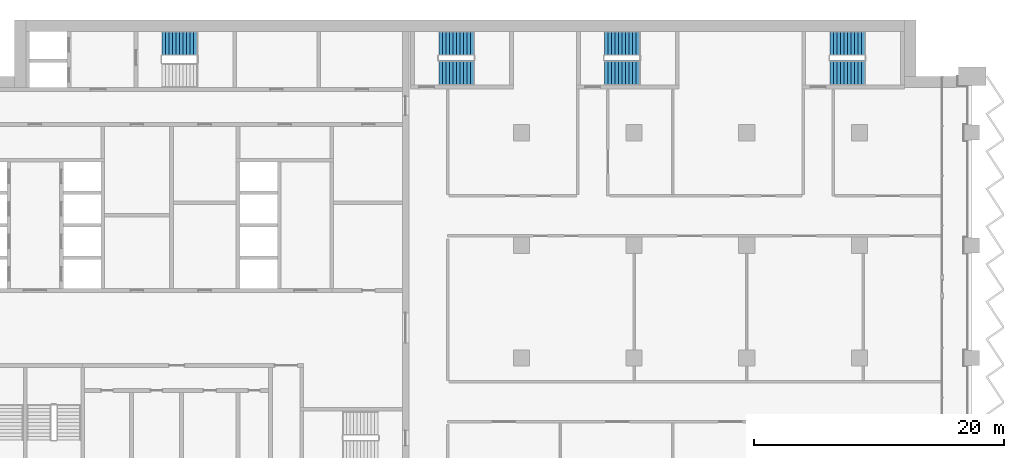
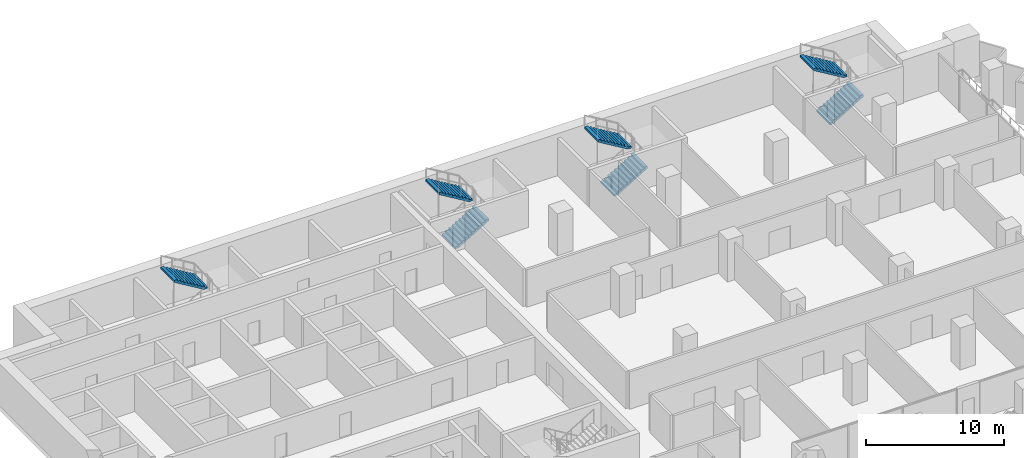
# One storey, part 17 of 22: 7 stair flights, 4 elements without a shape of their own.
"""IFC4 building model written with IfcOpenShell, lengths in metres."""

from ifc_helpers import new_model, si_unit, direction, frame, origin, place, context, subcontext, project, spatial, polyline, outline, extrude, material, type_object, element, aggregate, save


model = new_model("IFC4")

# Units and contexts
model_context = context("Model", 3, precision=1e-05, world=origin(), true_north=direction((0.0, 1.0)))
body_context = subcontext(model_context, "Body", "Model", "MODEL_VIEW")
ifc_project = project(units=[si_unit("LENGTHUNIT", "METRE"), si_unit("AREAUNIT", "SQUARE_METRE"), si_unit("VOLUMEUNIT", "CUBIC_METRE"), si_unit("PLANEANGLEUNIT", "RADIAN"), si_unit("MASSUNIT", "GRAM", prefix="KILO")], contexts=[model_context])

# Site, building, storey
site_placement = place(None, origin())
site = spatial("IfcSite", under=ifc_project, at=site_placement, CompositionType="ELEMENT")
building_placement = place(site_placement, origin())
building = spatial("IfcBuilding", under=site, at=building_placement, Name="Hunhe Ridgeline Campus", CompositionType="ELEMENT")
storey_placement = place(building_placement, frame((0.0, 0.0, 84.800048828125)))
storey = spatial("IfcBuildingStorey", under=building, at=storey_placement, Name="L20", CompositionType="ELEMENT", Elevation=84.800048828125)

# Stair, stair flight
ifc_material = material(Name="Concrete C40", Category="concrete")
stair_type = type_object("IfcStairType", Name="Reinforced concrete dog-leg stair 1950 Concrete C40", PredefinedType="HALF_TURN_STAIR", material=ifc_material)
stair_1_placement = place(storey_placement, origin())
stair_1 = element("IfcStair", 1, at=stair_1_placement, inside=storey, type_object=stair_type, Name="L20 S1", PredefinedType="HALF_TURN_STAIR")
stair_flight_type = type_object("IfcStairFlightType", Name="Reinforced concrete stair flight 1950 Concrete C40", PredefinedType="STRAIGHT", material=ifc_material)
stair_flight_1_placement = place(storey_placement, frame((19.10009765625, 97.125, 1.849853515625), z_axis=(0.0, 0.0, 1.0), x_axis=(-1.0, 0.0, 0.0)))
stair_flight_1 = element("IfcStairFlight", 2, at=stair_flight_1_placement, type_object=stair_flight_type, Name="ST1 flight 2", NumberOfRisers=11, NumberOfTreads=10, PredefinedType="STRAIGHT", RiserHeight=0.168181818, TreadLength=0.28, context=body_context, shape_type="SweptSolid", body=[
    extrude(outline(polyline([(0.0, 0.0), (0.0, 0.168212890625), (0.280029296875, 0.168212890625), (0.280029296875, 0.33642578125), (0.56005859375, 0.33642578125), (0.56005859375, 0.504638671875), (0.840087890625, 0.504638671875), (0.840087890625, 0.672607421875), (1.1201171875, 0.672607421875), (1.1201171875, 0.8408203125), (1.39990234375, 0.8408203125), (1.39990234375, 1.009033203125), (1.679931640625, 1.009033203125), (1.679931640625, 1.17724609375), (1.9599609375, 1.17724609375), (1.9599609375, 1.345458984375), (2.239990234375, 1.345458984375), (2.239990234375, 1.513671875), (2.52001953125, 1.513671875), (2.52001953125, 1.681884765625), (2.800048828125, 1.681884765625), (2.800048828125, 1.85009765625), (2.800048828125, 1.5068359375), (0.291015625, 0.0), (0.0, 0.0)])), frame((0.0, 0.97509765625, 0.0), z_axis=(0.0, -1.0, 0.0), x_axis=(1.0, 0.0, 0.0)), (0.0, 0.0, 1.0), 1.949951171875),
    extrude(outline(polyline([(0.030029296875, 0.030029296875), (0.030029296875, 0.13818359375), (0.31005859375, 0.13818359375), (0.31005859375, 0.306396484375), (0.590087890625, 0.306396484375), (0.590087890625, 0.474609375), (0.8701171875, 0.474609375), (0.8701171875, 0.642578125), (1.14990234375, 0.642578125), (1.14990234375, 0.810791015625), (1.429931640625, 0.810791015625), (1.429931640625, 0.97900390625), (1.7099609375, 0.97900390625), (1.7099609375, 1.147216796875), (1.989990234375, 1.147216796875), (1.989990234375, 1.3154296875), (2.27001953125, 1.3154296875), (2.27001953125, 1.483642578125), (2.550048828125, 1.483642578125), (2.550048828125, 1.65185546875), (2.77001953125, 1.65185546875), (2.77001953125, 1.52392578125), (0.28271484375, 0.030029296875), (0.030029296875, 0.030029296875)])), frame((0.0, -0.070068359375, 0.0), z_axis=(0.0, -1.0, 0.0), x_axis=(1.0, 0.0, 0.0)), (0.0, 0.0, 1.0), 0.019775390625),
    extrude(outline(polyline([(0.030029296875, 0.030029296875), (0.030029296875, 0.13818359375), (0.31005859375, 0.13818359375), (0.31005859375, 0.306396484375), (0.590087890625, 0.306396484375), (0.590087890625, 0.474609375), (0.8701171875, 0.474609375), (0.8701171875, 0.642578125), (1.14990234375, 0.642578125), (1.14990234375, 0.810791015625), (1.429931640625, 0.810791015625), (1.429931640625, 0.97900390625), (1.7099609375, 0.97900390625), (1.7099609375, 1.147216796875), (1.989990234375, 1.147216796875), (1.989990234375, 1.3154296875), (2.27001953125, 1.3154296875), (2.27001953125, 1.483642578125), (2.550048828125, 1.483642578125), (2.550048828125, 1.65185546875), (2.77001953125, 1.65185546875), (2.77001953125, 1.52392578125), (0.28271484375, 0.030029296875), (0.030029296875, 0.030029296875)])), frame((0.0, 0.010009765625, 0.0), z_axis=(0.0, -1.0, 0.0), x_axis=(1.0, 0.0, 0.0)), (0.0, 0.0, 1.0), 0.019775390625),
    extrude(outline(polyline([(0.030029296875, 0.030029296875), (0.030029296875, 0.13818359375), (0.31005859375, 0.13818359375), (0.31005859375, 0.306396484375), (0.590087890625, 0.306396484375), (0.590087890625, 0.474609375), (0.8701171875, 0.474609375), (0.8701171875, 0.642578125), (1.14990234375, 0.642578125), (1.14990234375, 0.810791015625), (1.429931640625, 0.810791015625), (1.429931640625, 0.97900390625), (1.7099609375, 0.97900390625), (1.7099609375, 1.147216796875), (1.989990234375, 1.147216796875), (1.989990234375, 1.3154296875), (2.27001953125, 1.3154296875), (2.27001953125, 1.483642578125), (2.550048828125, 1.483642578125), (2.550048828125, 1.65185546875), (2.77001953125, 1.65185546875), (2.77001953125, 1.52392578125), (0.28271484375, 0.030029296875), (0.030029296875, 0.030029296875)])), frame((0.0, 0.090087890625, 0.0), z_axis=(0.0, -1.0, 0.0), x_axis=(1.0, 0.0, 0.0)), (0.0, 0.0, 1.0), 0.019775390625),
])
aggregate(stair_1, [stair_flight_1])

# Stair, stair flights
stair_2_placement = place(storey_placement, origin())
stair_2 = element("IfcStair", 3, at=stair_2_placement, inside=storey, type_object=stair_type, Name="L20 E1", PredefinedType="HALF_TURN_STAIR")
stair_flight_2_placement = place(storey_placement, frame((38.39990234375, 94.77490234375, 0.0), z_axis=(0.0, 0.0, 1.0), x_axis=(1.0, 0.0, 0.0)))
stair_flight_2 = element("IfcStairFlight", 4, at=stair_flight_2_placement, type_object=stair_flight_type, Name="ST5 flight 1", NumberOfRisers=11, NumberOfTreads=10, PredefinedType="STRAIGHT", RiserHeight=0.168181818, TreadLength=0.28, context=body_context, shape_type="SweptSolid", body=[
    extrude(outline(polyline([(0.0, 0.0), (0.0, 0.168212890625), (0.280029296875, 0.168212890625), (0.280029296875, 0.33642578125), (0.56005859375, 0.33642578125), (0.56005859375, 0.504638671875), (0.840087890625, 0.504638671875), (0.840087890625, 0.672607421875), (1.1201171875, 0.672607421875), (1.1201171875, 0.8408203125), (1.39990234375, 0.8408203125), (1.39990234375, 1.009033203125), (1.679931640625, 1.009033203125), (1.679931640625, 1.17724609375), (1.9599609375, 1.17724609375), (1.9599609375, 1.345458984375), (2.239990234375, 1.345458984375), (2.239990234375, 1.513671875), (2.52001953125, 1.513671875), (2.52001953125, 1.681884765625), (2.800048828125, 1.681884765625), (2.800048828125, 1.85009765625), (2.800048828125, 1.5068359375), (0.291015625, 0.0), (0.0, 0.0)])), frame((0.0, 0.97509765625, 0.0), z_axis=(0.0, -1.0, 0.0), x_axis=(1.0, 0.0, 0.0)), (0.0, 0.0, 1.0), 1.949951171875),
    extrude(outline(polyline([(0.030029296875, 0.030029296875), (0.030029296875, 0.13818359375), (0.31005859375, 0.13818359375), (0.31005859375, 0.306396484375), (0.590087890625, 0.306396484375), (0.590087890625, 0.474609375), (0.8701171875, 0.474609375), (0.8701171875, 0.642578125), (1.14990234375, 0.642578125), (1.14990234375, 0.810791015625), (1.429931640625, 0.810791015625), (1.429931640625, 0.97900390625), (1.7099609375, 0.97900390625), (1.7099609375, 1.147216796875), (1.989990234375, 1.147216796875), (1.989990234375, 1.3154296875), (2.27001953125, 1.3154296875), (2.27001953125, 1.483642578125), (2.550048828125, 1.483642578125), (2.550048828125, 1.65185546875), (2.77001953125, 1.65185546875), (2.77001953125, 1.52392578125), (0.28271484375, 0.030029296875), (0.030029296875, 0.030029296875)])), frame((0.0, -0.070068359375, 0.0), z_axis=(0.0, -1.0, 0.0), x_axis=(1.0, 0.0, 0.0)), (0.0, 0.0, 1.0), 0.019775390625),
    extrude(outline(polyline([(0.030029296875, 0.030029296875), (0.030029296875, 0.13818359375), (0.31005859375, 0.13818359375), (0.31005859375, 0.306396484375), (0.590087890625, 0.306396484375), (0.590087890625, 0.474609375), (0.8701171875, 0.474609375), (0.8701171875, 0.642578125), (1.14990234375, 0.642578125), (1.14990234375, 0.810791015625), (1.429931640625, 0.810791015625), (1.429931640625, 0.97900390625), (1.7099609375, 0.97900390625), (1.7099609375, 1.147216796875), (1.989990234375, 1.147216796875), (1.989990234375, 1.3154296875), (2.27001953125, 1.3154296875), (2.27001953125, 1.483642578125), (2.550048828125, 1.483642578125), (2.550048828125, 1.65185546875), (2.77001953125, 1.65185546875), (2.77001953125, 1.52392578125), (0.28271484375, 0.030029296875), (0.030029296875, 0.030029296875)])), frame((0.0, 0.010009765625, 0.0), z_axis=(0.0, -1.0, 0.0), x_axis=(1.0, 0.0, 0.0)), (0.0, 0.0, 1.0), 0.019775390625),
    extrude(outline(polyline([(0.030029296875, 0.030029296875), (0.030029296875, 0.13818359375), (0.31005859375, 0.13818359375), (0.31005859375, 0.306396484375), (0.590087890625, 0.306396484375), (0.590087890625, 0.474609375), (0.8701171875, 0.474609375), (0.8701171875, 0.642578125), (1.14990234375, 0.642578125), (1.14990234375, 0.810791015625), (1.429931640625, 0.810791015625), (1.429931640625, 0.97900390625), (1.7099609375, 0.97900390625), (1.7099609375, 1.147216796875), (1.989990234375, 1.147216796875), (1.989990234375, 1.3154296875), (2.27001953125, 1.3154296875), (2.27001953125, 1.483642578125), (2.550048828125, 1.483642578125), (2.550048828125, 1.65185546875), (2.77001953125, 1.65185546875), (2.77001953125, 1.52392578125), (0.28271484375, 0.030029296875), (0.030029296875, 0.030029296875)])), frame((0.0, 0.090087890625, 0.0), z_axis=(0.0, -1.0, 0.0), x_axis=(1.0, 0.0, 0.0)), (0.0, 0.0, 1.0), 0.019775390625),
])
stair_flight_3_placement = place(storey_placement, frame((41.199951171875, 97.125, 1.849853515625), z_axis=(0.0, 0.0, 1.0), x_axis=(-1.0, 0.0, 0.0)))
stair_flight_3 = element("IfcStairFlight", 5, at=stair_flight_3_placement, type_object=stair_flight_type, Name="ST5 flight 2", NumberOfRisers=11, NumberOfTreads=10, PredefinedType="STRAIGHT", RiserHeight=0.168181818, TreadLength=0.28, context=body_context, shape_type="SweptSolid", body=[
    extrude(outline(polyline([(0.0, 0.0), (0.0, 0.168212890625), (0.280029296875, 0.168212890625), (0.280029296875, 0.33642578125), (0.56005859375, 0.33642578125), (0.56005859375, 0.504638671875), (0.840087890625, 0.504638671875), (0.840087890625, 0.672607421875), (1.1201171875, 0.672607421875), (1.1201171875, 0.8408203125), (1.39990234375, 0.8408203125), (1.39990234375, 1.009033203125), (1.679931640625, 1.009033203125), (1.679931640625, 1.17724609375), (1.9599609375, 1.17724609375), (1.9599609375, 1.345458984375), (2.239990234375, 1.345458984375), (2.239990234375, 1.513671875), (2.52001953125, 1.513671875), (2.52001953125, 1.681884765625), (2.800048828125, 1.681884765625), (2.800048828125, 1.85009765625), (2.800048828125, 1.5068359375), (0.291015625, 0.0), (0.0, 0.0)])), frame((0.0, 0.97509765625, 0.0), z_axis=(0.0, -1.0, 0.0), x_axis=(1.0, 0.0, 0.0)), (0.0, 0.0, 1.0), 1.949951171875),
    extrude(outline(polyline([(0.030029296875, 0.030029296875), (0.030029296875, 0.13818359375), (0.31005859375, 0.13818359375), (0.31005859375, 0.306396484375), (0.590087890625, 0.306396484375), (0.590087890625, 0.474609375), (0.8701171875, 0.474609375), (0.8701171875, 0.642578125), (1.14990234375, 0.642578125), (1.14990234375, 0.810791015625), (1.429931640625, 0.810791015625), (1.429931640625, 0.97900390625), (1.7099609375, 0.97900390625), (1.7099609375, 1.147216796875), (1.989990234375, 1.147216796875), (1.989990234375, 1.3154296875), (2.27001953125, 1.3154296875), (2.27001953125, 1.483642578125), (2.550048828125, 1.483642578125), (2.550048828125, 1.65185546875), (2.77001953125, 1.65185546875), (2.77001953125, 1.52392578125), (0.28271484375, 0.030029296875), (0.030029296875, 0.030029296875)])), frame((0.0, -0.070068359375, 0.0), z_axis=(0.0, -1.0, 0.0), x_axis=(1.0, 0.0, 0.0)), (0.0, 0.0, 1.0), 0.019775390625),
    extrude(outline(polyline([(0.030029296875, 0.030029296875), (0.030029296875, 0.13818359375), (0.31005859375, 0.13818359375), (0.31005859375, 0.306396484375), (0.590087890625, 0.306396484375), (0.590087890625, 0.474609375), (0.8701171875, 0.474609375), (0.8701171875, 0.642578125), (1.14990234375, 0.642578125), (1.14990234375, 0.810791015625), (1.429931640625, 0.810791015625), (1.429931640625, 0.97900390625), (1.7099609375, 0.97900390625), (1.7099609375, 1.147216796875), (1.989990234375, 1.147216796875), (1.989990234375, 1.3154296875), (2.27001953125, 1.3154296875), (2.27001953125, 1.483642578125), (2.550048828125, 1.483642578125), (2.550048828125, 1.65185546875), (2.77001953125, 1.65185546875), (2.77001953125, 1.52392578125), (0.28271484375, 0.030029296875), (0.030029296875, 0.030029296875)])), frame((0.0, 0.010009765625, 0.0), z_axis=(0.0, -1.0, 0.0), x_axis=(1.0, 0.0, 0.0)), (0.0, 0.0, 1.0), 0.019775390625),
    extrude(outline(polyline([(0.030029296875, 0.030029296875), (0.030029296875, 0.13818359375), (0.31005859375, 0.13818359375), (0.31005859375, 0.306396484375), (0.590087890625, 0.306396484375), (0.590087890625, 0.474609375), (0.8701171875, 0.474609375), (0.8701171875, 0.642578125), (1.14990234375, 0.642578125), (1.14990234375, 0.810791015625), (1.429931640625, 0.810791015625), (1.429931640625, 0.97900390625), (1.7099609375, 0.97900390625), (1.7099609375, 1.147216796875), (1.989990234375, 1.147216796875), (1.989990234375, 1.3154296875), (2.27001953125, 1.3154296875), (2.27001953125, 1.483642578125), (2.550048828125, 1.483642578125), (2.550048828125, 1.65185546875), (2.77001953125, 1.65185546875), (2.77001953125, 1.52392578125), (0.28271484375, 0.030029296875), (0.030029296875, 0.030029296875)])), frame((0.0, 0.090087890625, 0.0), z_axis=(0.0, -1.0, 0.0), x_axis=(1.0, 0.0, 0.0)), (0.0, 0.0, 1.0), 0.019775390625),
])
aggregate(stair_2, [stair_flight_2, stair_flight_3])

stair_3_placement = place(storey_placement, origin())
stair_3 = element("IfcStair", 6, at=stair_3_placement, inside=storey, type_object=stair_type, Name="L20 E2", PredefinedType="HALF_TURN_STAIR")
stair_flight_4_placement = place(storey_placement, frame((51.64990234375, 94.77490234375, 0.0), z_axis=(0.0, 0.0, 1.0), x_axis=(1.0, 0.0, 0.0)))
stair_flight_4 = element("IfcStairFlight", 7, at=stair_flight_4_placement, type_object=stair_flight_type, Name="ST6 flight 1", NumberOfRisers=11, NumberOfTreads=10, PredefinedType="STRAIGHT", RiserHeight=0.168181818, TreadLength=0.28, context=body_context, shape_type="SweptSolid", body=[
    extrude(outline(polyline([(0.0, 0.0), (0.0, 0.168212890625), (0.280029296875, 0.168212890625), (0.280029296875, 0.33642578125), (0.56005859375, 0.33642578125), (0.56005859375, 0.504638671875), (0.840087890625, 0.504638671875), (0.840087890625, 0.672607421875), (1.1201171875, 0.672607421875), (1.1201171875, 0.8408203125), (1.39990234375, 0.8408203125), (1.39990234375, 1.009033203125), (1.679931640625, 1.009033203125), (1.679931640625, 1.17724609375), (1.9599609375, 1.17724609375), (1.9599609375, 1.345458984375), (2.239990234375, 1.345458984375), (2.239990234375, 1.513671875), (2.52001953125, 1.513671875), (2.52001953125, 1.681884765625), (2.800048828125, 1.681884765625), (2.800048828125, 1.85009765625), (2.800048828125, 1.5068359375), (0.291015625, 0.0), (0.0, 0.0)])), frame((0.0, 0.97509765625, 0.0), z_axis=(0.0, -1.0, 0.0), x_axis=(1.0, 0.0, 0.0)), (0.0, 0.0, 1.0), 1.949951171875),
    extrude(outline(polyline([(0.030029296875, 0.030029296875), (0.030029296875, 0.13818359375), (0.31005859375, 0.13818359375), (0.31005859375, 0.306396484375), (0.590087890625, 0.306396484375), (0.590087890625, 0.474609375), (0.8701171875, 0.474609375), (0.8701171875, 0.642578125), (1.14990234375, 0.642578125), (1.14990234375, 0.810791015625), (1.429931640625, 0.810791015625), (1.429931640625, 0.97900390625), (1.7099609375, 0.97900390625), (1.7099609375, 1.147216796875), (1.989990234375, 1.147216796875), (1.989990234375, 1.3154296875), (2.27001953125, 1.3154296875), (2.27001953125, 1.483642578125), (2.550048828125, 1.483642578125), (2.550048828125, 1.65185546875), (2.77001953125, 1.65185546875), (2.77001953125, 1.52392578125), (0.28271484375, 0.030029296875), (0.030029296875, 0.030029296875)])), frame((0.0, -0.070068359375, 0.0), z_axis=(0.0, -1.0, 0.0), x_axis=(1.0, 0.0, 0.0)), (0.0, 0.0, 1.0), 0.019775390625),
    extrude(outline(polyline([(0.030029296875, 0.030029296875), (0.030029296875, 0.13818359375), (0.31005859375, 0.13818359375), (0.31005859375, 0.306396484375), (0.590087890625, 0.306396484375), (0.590087890625, 0.474609375), (0.8701171875, 0.474609375), (0.8701171875, 0.642578125), (1.14990234375, 0.642578125), (1.14990234375, 0.810791015625), (1.429931640625, 0.810791015625), (1.429931640625, 0.97900390625), (1.7099609375, 0.97900390625), (1.7099609375, 1.147216796875), (1.989990234375, 1.147216796875), (1.989990234375, 1.3154296875), (2.27001953125, 1.3154296875), (2.27001953125, 1.483642578125), (2.550048828125, 1.483642578125), (2.550048828125, 1.65185546875), (2.77001953125, 1.65185546875), (2.77001953125, 1.52392578125), (0.28271484375, 0.030029296875), (0.030029296875, 0.030029296875)])), frame((0.0, 0.010009765625, 0.0), z_axis=(0.0, -1.0, 0.0), x_axis=(1.0, 0.0, 0.0)), (0.0, 0.0, 1.0), 0.019775390625),
    extrude(outline(polyline([(0.030029296875, 0.030029296875), (0.030029296875, 0.13818359375), (0.31005859375, 0.13818359375), (0.31005859375, 0.306396484375), (0.590087890625, 0.306396484375), (0.590087890625, 0.474609375), (0.8701171875, 0.474609375), (0.8701171875, 0.642578125), (1.14990234375, 0.642578125), (1.14990234375, 0.810791015625), (1.429931640625, 0.810791015625), (1.429931640625, 0.97900390625), (1.7099609375, 0.97900390625), (1.7099609375, 1.147216796875), (1.989990234375, 1.147216796875), (1.989990234375, 1.3154296875), (2.27001953125, 1.3154296875), (2.27001953125, 1.483642578125), (2.550048828125, 1.483642578125), (2.550048828125, 1.65185546875), (2.77001953125, 1.65185546875), (2.77001953125, 1.52392578125), (0.28271484375, 0.030029296875), (0.030029296875, 0.030029296875)])), frame((0.0, 0.090087890625, 0.0), z_axis=(0.0, -1.0, 0.0), x_axis=(1.0, 0.0, 0.0)), (0.0, 0.0, 1.0), 0.019775390625),
])
stair_flight_5_placement = place(storey_placement, frame((54.449951171875, 97.125, 1.849853515625), z_axis=(0.0, 0.0, 1.0), x_axis=(-1.0, 0.0, 0.0)))
stair_flight_5 = element("IfcStairFlight", 8, at=stair_flight_5_placement, type_object=stair_flight_type, Name="ST6 flight 2", NumberOfRisers=11, NumberOfTreads=10, PredefinedType="STRAIGHT", RiserHeight=0.168181818, TreadLength=0.28, context=body_context, shape_type="SweptSolid", body=[
    extrude(outline(polyline([(0.0, 0.0), (0.0, 0.168212890625), (0.280029296875, 0.168212890625), (0.280029296875, 0.33642578125), (0.56005859375, 0.33642578125), (0.56005859375, 0.504638671875), (0.840087890625, 0.504638671875), (0.840087890625, 0.672607421875), (1.1201171875, 0.672607421875), (1.1201171875, 0.8408203125), (1.39990234375, 0.8408203125), (1.39990234375, 1.009033203125), (1.679931640625, 1.009033203125), (1.679931640625, 1.17724609375), (1.9599609375, 1.17724609375), (1.9599609375, 1.345458984375), (2.239990234375, 1.345458984375), (2.239990234375, 1.513671875), (2.52001953125, 1.513671875), (2.52001953125, 1.681884765625), (2.800048828125, 1.681884765625), (2.800048828125, 1.85009765625), (2.800048828125, 1.5068359375), (0.291015625, 0.0), (0.0, 0.0)])), frame((0.0, 0.97509765625, 0.0), z_axis=(0.0, -1.0, 0.0), x_axis=(1.0, 0.0, 0.0)), (0.0, 0.0, 1.0), 1.949951171875),
    extrude(outline(polyline([(0.030029296875, 0.030029296875), (0.030029296875, 0.13818359375), (0.31005859375, 0.13818359375), (0.31005859375, 0.306396484375), (0.590087890625, 0.306396484375), (0.590087890625, 0.474609375), (0.8701171875, 0.474609375), (0.8701171875, 0.642578125), (1.14990234375, 0.642578125), (1.14990234375, 0.810791015625), (1.429931640625, 0.810791015625), (1.429931640625, 0.97900390625), (1.7099609375, 0.97900390625), (1.7099609375, 1.147216796875), (1.989990234375, 1.147216796875), (1.989990234375, 1.3154296875), (2.27001953125, 1.3154296875), (2.27001953125, 1.483642578125), (2.550048828125, 1.483642578125), (2.550048828125, 1.65185546875), (2.77001953125, 1.65185546875), (2.77001953125, 1.52392578125), (0.28271484375, 0.030029296875), (0.030029296875, 0.030029296875)])), frame((0.0, -0.070068359375, 0.0), z_axis=(0.0, -1.0, 0.0), x_axis=(1.0, 0.0, 0.0)), (0.0, 0.0, 1.0), 0.019775390625),
    extrude(outline(polyline([(0.030029296875, 0.030029296875), (0.030029296875, 0.13818359375), (0.31005859375, 0.13818359375), (0.31005859375, 0.306396484375), (0.590087890625, 0.306396484375), (0.590087890625, 0.474609375), (0.8701171875, 0.474609375), (0.8701171875, 0.642578125), (1.14990234375, 0.642578125), (1.14990234375, 0.810791015625), (1.429931640625, 0.810791015625), (1.429931640625, 0.97900390625), (1.7099609375, 0.97900390625), (1.7099609375, 1.147216796875), (1.989990234375, 1.147216796875), (1.989990234375, 1.3154296875), (2.27001953125, 1.3154296875), (2.27001953125, 1.483642578125), (2.550048828125, 1.483642578125), (2.550048828125, 1.65185546875), (2.77001953125, 1.65185546875), (2.77001953125, 1.52392578125), (0.28271484375, 0.030029296875), (0.030029296875, 0.030029296875)])), frame((0.0, 0.010009765625, 0.0), z_axis=(0.0, -1.0, 0.0), x_axis=(1.0, 0.0, 0.0)), (0.0, 0.0, 1.0), 0.019775390625),
    extrude(outline(polyline([(0.030029296875, 0.030029296875), (0.030029296875, 0.13818359375), (0.31005859375, 0.13818359375), (0.31005859375, 0.306396484375), (0.590087890625, 0.306396484375), (0.590087890625, 0.474609375), (0.8701171875, 0.474609375), (0.8701171875, 0.642578125), (1.14990234375, 0.642578125), (1.14990234375, 0.810791015625), (1.429931640625, 0.810791015625), (1.429931640625, 0.97900390625), (1.7099609375, 0.97900390625), (1.7099609375, 1.147216796875), (1.989990234375, 1.147216796875), (1.989990234375, 1.3154296875), (2.27001953125, 1.3154296875), (2.27001953125, 1.483642578125), (2.550048828125, 1.483642578125), (2.550048828125, 1.65185546875), (2.77001953125, 1.65185546875), (2.77001953125, 1.52392578125), (0.28271484375, 0.030029296875), (0.030029296875, 0.030029296875)])), frame((0.0, 0.090087890625, 0.0), z_axis=(0.0, -1.0, 0.0), x_axis=(1.0, 0.0, 0.0)), (0.0, 0.0, 1.0), 0.019775390625),
])
aggregate(stair_3, [stair_flight_4, stair_flight_5])

stair_4_placement = place(storey_placement, origin())
stair_4 = element("IfcStair", 9, at=stair_4_placement, inside=storey, type_object=stair_type, Name="L20 E3", PredefinedType="HALF_TURN_STAIR")
stair_flight_6_placement = place(storey_placement, frame((69.64990234375, 94.77490234375, 0.0), z_axis=(0.0, 0.0, 1.0), x_axis=(1.0, 0.0, 0.0)))
stair_flight_6 = element("IfcStairFlight", 10, at=stair_flight_6_placement, type_object=stair_flight_type, Name="ST7 flight 1", NumberOfRisers=11, NumberOfTreads=10, PredefinedType="STRAIGHT", RiserHeight=0.168181818, TreadLength=0.28, context=body_context, shape_type="SweptSolid", body=[
    extrude(outline(polyline([(0.0, 0.0), (0.0, 0.168212890625), (0.280029296875, 0.168212890625), (0.280029296875, 0.33642578125), (0.56005859375, 0.33642578125), (0.56005859375, 0.504638671875), (0.840087890625, 0.504638671875), (0.840087890625, 0.672607421875), (1.1201171875, 0.672607421875), (1.1201171875, 0.8408203125), (1.39990234375, 0.8408203125), (1.39990234375, 1.009033203125), (1.679931640625, 1.009033203125), (1.679931640625, 1.17724609375), (1.9599609375, 1.17724609375), (1.9599609375, 1.345458984375), (2.239990234375, 1.345458984375), (2.239990234375, 1.513671875), (2.52001953125, 1.513671875), (2.52001953125, 1.681884765625), (2.800048828125, 1.681884765625), (2.800048828125, 1.85009765625), (2.800048828125, 1.5068359375), (0.291015625, 0.0), (0.0, 0.0)])), frame((0.0, 0.97509765625, 0.0), z_axis=(0.0, -1.0, 0.0), x_axis=(1.0, 0.0, 0.0)), (0.0, 0.0, 1.0), 1.949951171875),
    extrude(outline(polyline([(0.030029296875, 0.030029296875), (0.030029296875, 0.13818359375), (0.31005859375, 0.13818359375), (0.31005859375, 0.306396484375), (0.590087890625, 0.306396484375), (0.590087890625, 0.474609375), (0.8701171875, 0.474609375), (0.8701171875, 0.642578125), (1.14990234375, 0.642578125), (1.14990234375, 0.810791015625), (1.429931640625, 0.810791015625), (1.429931640625, 0.97900390625), (1.7099609375, 0.97900390625), (1.7099609375, 1.147216796875), (1.989990234375, 1.147216796875), (1.989990234375, 1.3154296875), (2.27001953125, 1.3154296875), (2.27001953125, 1.483642578125), (2.550048828125, 1.483642578125), (2.550048828125, 1.65185546875), (2.77001953125, 1.65185546875), (2.77001953125, 1.52392578125), (0.28271484375, 0.030029296875), (0.030029296875, 0.030029296875)])), frame((0.0, -0.070068359375, 0.0), z_axis=(0.0, -1.0, 0.0), x_axis=(1.0, 0.0, 0.0)), (0.0, 0.0, 1.0), 0.019775390625),
    extrude(outline(polyline([(0.030029296875, 0.030029296875), (0.030029296875, 0.13818359375), (0.31005859375, 0.13818359375), (0.31005859375, 0.306396484375), (0.590087890625, 0.306396484375), (0.590087890625, 0.474609375), (0.8701171875, 0.474609375), (0.8701171875, 0.642578125), (1.14990234375, 0.642578125), (1.14990234375, 0.810791015625), (1.429931640625, 0.810791015625), (1.429931640625, 0.97900390625), (1.7099609375, 0.97900390625), (1.7099609375, 1.147216796875), (1.989990234375, 1.147216796875), (1.989990234375, 1.3154296875), (2.27001953125, 1.3154296875), (2.27001953125, 1.483642578125), (2.550048828125, 1.483642578125), (2.550048828125, 1.65185546875), (2.77001953125, 1.65185546875), (2.77001953125, 1.52392578125), (0.28271484375, 0.030029296875), (0.030029296875, 0.030029296875)])), frame((0.0, 0.010009765625, 0.0), z_axis=(0.0, -1.0, 0.0), x_axis=(1.0, 0.0, 0.0)), (0.0, 0.0, 1.0), 0.019775390625),
    extrude(outline(polyline([(0.030029296875, 0.030029296875), (0.030029296875, 0.13818359375), (0.31005859375, 0.13818359375), (0.31005859375, 0.306396484375), (0.590087890625, 0.306396484375), (0.590087890625, 0.474609375), (0.8701171875, 0.474609375), (0.8701171875, 0.642578125), (1.14990234375, 0.642578125), (1.14990234375, 0.810791015625), (1.429931640625, 0.810791015625), (1.429931640625, 0.97900390625), (1.7099609375, 0.97900390625), (1.7099609375, 1.147216796875), (1.989990234375, 1.147216796875), (1.989990234375, 1.3154296875), (2.27001953125, 1.3154296875), (2.27001953125, 1.483642578125), (2.550048828125, 1.483642578125), (2.550048828125, 1.65185546875), (2.77001953125, 1.65185546875), (2.77001953125, 1.52392578125), (0.28271484375, 0.030029296875), (0.030029296875, 0.030029296875)])), frame((0.0, 0.090087890625, 0.0), z_axis=(0.0, -1.0, 0.0), x_axis=(1.0, 0.0, 0.0)), (0.0, 0.0, 1.0), 0.019775390625),
])
stair_flight_7_placement = place(storey_placement, frame((72.449951171875, 97.125, 1.849853515625), z_axis=(0.0, 0.0, 1.0), x_axis=(-1.0, 0.0, 0.0)))
stair_flight_7 = element("IfcStairFlight", 11, at=stair_flight_7_placement, type_object=stair_flight_type, Name="ST7 flight 2", NumberOfRisers=11, NumberOfTreads=10, PredefinedType="STRAIGHT", RiserHeight=0.168181818, TreadLength=0.28, context=body_context, shape_type="SweptSolid", body=[
    extrude(outline(polyline([(0.0, 0.0), (0.0, 0.168212890625), (0.280029296875, 0.168212890625), (0.280029296875, 0.33642578125), (0.56005859375, 0.33642578125), (0.56005859375, 0.504638671875), (0.840087890625, 0.504638671875), (0.840087890625, 0.672607421875), (1.1201171875, 0.672607421875), (1.1201171875, 0.8408203125), (1.39990234375, 0.8408203125), (1.39990234375, 1.009033203125), (1.679931640625, 1.009033203125), (1.679931640625, 1.17724609375), (1.9599609375, 1.17724609375), (1.9599609375, 1.345458984375), (2.239990234375, 1.345458984375), (2.239990234375, 1.513671875), (2.52001953125, 1.513671875), (2.52001953125, 1.681884765625), (2.800048828125, 1.681884765625), (2.800048828125, 1.85009765625), (2.800048828125, 1.5068359375), (0.291015625, 0.0), (0.0, 0.0)])), frame((0.0, 0.97509765625, 0.0), z_axis=(0.0, -1.0, 0.0), x_axis=(1.0, 0.0, 0.0)), (0.0, 0.0, 1.0), 1.949951171875),
    extrude(outline(polyline([(0.030029296875, 0.030029296875), (0.030029296875, 0.13818359375), (0.31005859375, 0.13818359375), (0.31005859375, 0.306396484375), (0.590087890625, 0.306396484375), (0.590087890625, 0.474609375), (0.8701171875, 0.474609375), (0.8701171875, 0.642578125), (1.14990234375, 0.642578125), (1.14990234375, 0.810791015625), (1.429931640625, 0.810791015625), (1.429931640625, 0.97900390625), (1.7099609375, 0.97900390625), (1.7099609375, 1.147216796875), (1.989990234375, 1.147216796875), (1.989990234375, 1.3154296875), (2.27001953125, 1.3154296875), (2.27001953125, 1.483642578125), (2.550048828125, 1.483642578125), (2.550048828125, 1.65185546875), (2.77001953125, 1.65185546875), (2.77001953125, 1.52392578125), (0.28271484375, 0.030029296875), (0.030029296875, 0.030029296875)])), frame((0.0, -0.070068359375, 0.0), z_axis=(0.0, -1.0, 0.0), x_axis=(1.0, 0.0, 0.0)), (0.0, 0.0, 1.0), 0.019775390625),
    extrude(outline(polyline([(0.030029296875, 0.030029296875), (0.030029296875, 0.13818359375), (0.31005859375, 0.13818359375), (0.31005859375, 0.306396484375), (0.590087890625, 0.306396484375), (0.590087890625, 0.474609375), (0.8701171875, 0.474609375), (0.8701171875, 0.642578125), (1.14990234375, 0.642578125), (1.14990234375, 0.810791015625), (1.429931640625, 0.810791015625), (1.429931640625, 0.97900390625), (1.7099609375, 0.97900390625), (1.7099609375, 1.147216796875), (1.989990234375, 1.147216796875), (1.989990234375, 1.3154296875), (2.27001953125, 1.3154296875), (2.27001953125, 1.483642578125), (2.550048828125, 1.483642578125), (2.550048828125, 1.65185546875), (2.77001953125, 1.65185546875), (2.77001953125, 1.52392578125), (0.28271484375, 0.030029296875), (0.030029296875, 0.030029296875)])), frame((0.0, 0.010009765625, 0.0), z_axis=(0.0, -1.0, 0.0), x_axis=(1.0, 0.0, 0.0)), (0.0, 0.0, 1.0), 0.019775390625),
    extrude(outline(polyline([(0.030029296875, 0.030029296875), (0.030029296875, 0.13818359375), (0.31005859375, 0.13818359375), (0.31005859375, 0.306396484375), (0.590087890625, 0.306396484375), (0.590087890625, 0.474609375), (0.8701171875, 0.474609375), (0.8701171875, 0.642578125), (1.14990234375, 0.642578125), (1.14990234375, 0.810791015625), (1.429931640625, 0.810791015625), (1.429931640625, 0.97900390625), (1.7099609375, 0.97900390625), (1.7099609375, 1.147216796875), (1.989990234375, 1.147216796875), (1.989990234375, 1.3154296875), (2.27001953125, 1.3154296875), (2.27001953125, 1.483642578125), (2.550048828125, 1.483642578125), (2.550048828125, 1.65185546875), (2.77001953125, 1.65185546875), (2.77001953125, 1.52392578125), (0.28271484375, 0.030029296875), (0.030029296875, 0.030029296875)])), frame((0.0, 0.090087890625, 0.0), z_axis=(0.0, -1.0, 0.0), x_axis=(1.0, 0.0, 0.0)), (0.0, 0.0, 1.0), 0.019775390625),
])
aggregate(stair_4, [stair_flight_6, stair_flight_7])

save(model, "model.ifc")
